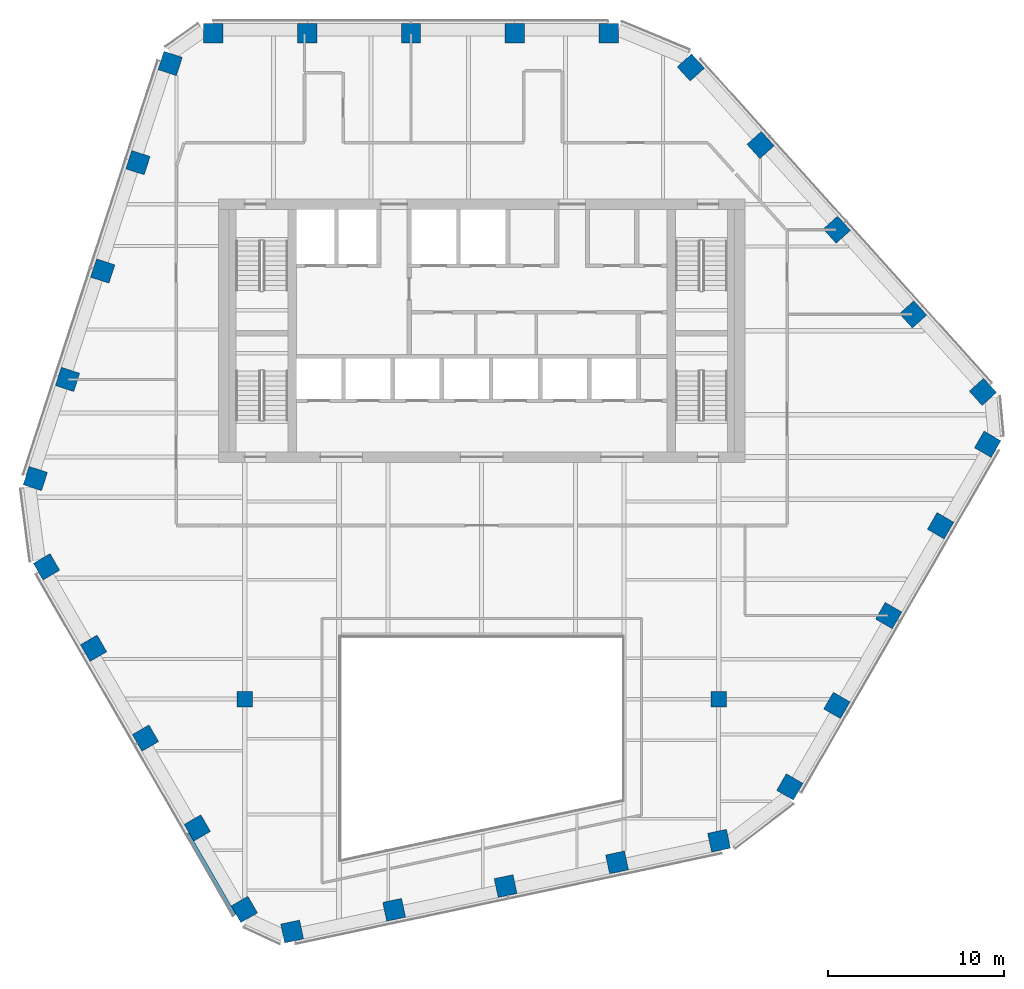
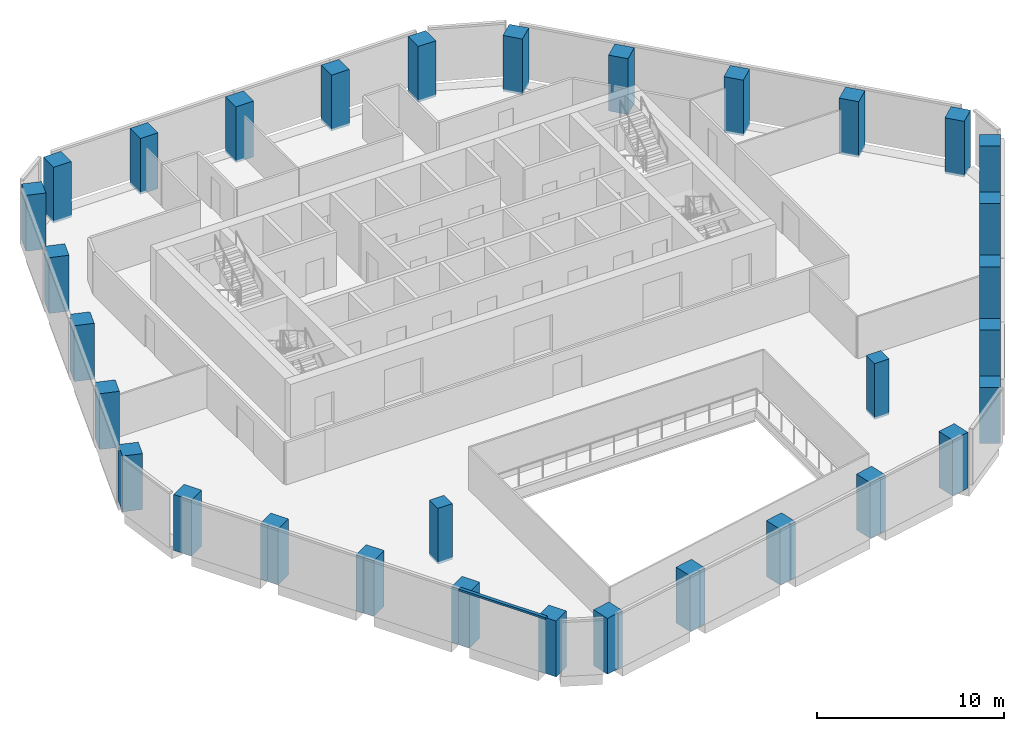
# One storey, part 1 of 15: 32 columns, 1 member, 1 element without a shape of its own.
"""IFC4 building model written with IfcOpenShell, lengths in metres."""

import ifcopenshell
import ifcopenshell.guid

model = None  # the IFC model being written
_history = None  # IfcOwnerHistory: only IFC2X3 demands one
_inside = {}  # id of a spatial element -> (the spatial element, [elements in it])
_under = {}  # id of a project, library or spatial element -> (it, [spatial elements below it])
_declared = {}  # id of a project -> (the project, [libraries it declares])
_typed = {}  # id of a type object -> (the type object, [elements of that type])
_made_of = {}  # id of a material, layer set ... -> (it, [elements and type objects made of it])


def new_model(schema):
    """Start an empty IFC model of exactly this schema.

    Asked for "IFC4X3", IfcOpenShell would pick the latest addendum, in which some entities
    have other attributes; the version numbers below select the first issue.
    IFC2X3 requires an IfcOwnerHistory on every rooted entity: one is made here for all.
    """
    global model, _history
    if schema == "IFC4X3":
        model = ifcopenshell.file(schema_version=(4, 3, 0, 0))
    else:
        model = ifcopenshell.file(schema=schema)
    _inside.clear()
    _under.clear()
    _declared.clear()
    _typed.clear()
    _made_of.clear()
    _history = None
    if model.schema == "IFC2X3":
        org = make("IfcOrganization", Name="unknown")
        user = make(
            "IfcPersonAndOrganization",
            ThePerson=make("IfcPerson", FamilyName="unknown"),
            TheOrganization=org,
        )
        app = make(
            "IfcApplication",
            ApplicationDeveloper=org,
            Version="unknown",
            ApplicationFullName="unknown",
            ApplicationIdentifier="unknown",
        )
        _history = make(
            "IfcOwnerHistory",
            OwningUser=user,
            OwningApplication=app,
            ChangeAction="ADDED",
            CreationDate=0,
        )
    return model


def make(cls, **values):
    """One entity of the class cls with the attributes given. An attribute that is None is left unset."""
    return model.create_entity(
        cls, **{name: value for name, value in values.items() if value is not None}
    )


def rooted(cls, **values):
    """An entity with a GlobalId (a new one), such as an element, a storey or a relation."""
    return make(cls, GlobalId=ifcopenshell.guid.new(), OwnerHistory=_history, **values)


def si_unit(unit_type, name, prefix=None):
    """IfcSIUnit, for example si_unit("LENGTHUNIT", "METRE", prefix="MILLI")."""
    return make("IfcSIUnit", UnitType=unit_type, Prefix=prefix, Name=name)


def assignment(units):
    """IfcUnitAssignment: the units of a project."""
    return None if units is None else make("IfcUnitAssignment", Units=units)


def point(xyz):
    """IfcCartesianPoint."""
    return None if xyz is None else make("IfcCartesianPoint", Coordinates=xyz)


def direction(xyz):
    """IfcDirection."""
    return None if xyz is None else make("IfcDirection", DirectionRatios=xyz)


def frame(location, z_axis=None, x_axis=None):
    """IfcAxis2Placement3D, a coordinate frame: its origin and axes. An axis left out is left unset."""
    return make(
        "IfcAxis2Placement3D",
        Location=point(location),
        Axis=direction(z_axis),
        RefDirection=direction(x_axis),
    )


def frame_2d(location, x_axis=None):
    """IfcAxis2Placement2D, a coordinate frame in the plane: its origin and x axis."""
    return make(
        "IfcAxis2Placement2D", Location=point(location), RefDirection=direction(x_axis)
    )


def origin():
    """The frame at (0, 0, 0) with its axes left unset."""
    return frame((0.0, 0.0, 0.0))


def origin_2d():
    """The frame at (0, 0) in the plane with its x axis left unset."""
    return frame_2d((0.0, 0.0))


def place(relative_to, where):
    """IfcLocalPlacement: puts the frame where relative to a parent placement (None: the world)."""
    return make(
        "IfcLocalPlacement", PlacementRelTo=relative_to, RelativePlacement=where
    )


def context(
    kind, dimensions, precision=None, world=None, true_north=None, identifier=None
):
    """IfcGeometricRepresentationContext, for example the 3D "Model" context."""
    return make(
        "IfcGeometricRepresentationContext",
        ContextIdentifier=identifier,
        ContextType=kind,
        CoordinateSpaceDimension=dimensions,
        Precision=precision,
        WorldCoordinateSystem=world,
        TrueNorth=true_north,
    )


def subcontext(parent, identifier, kind, view, scale=None):
    """IfcGeometricRepresentationSubContext, for example "Body" below "Model"."""
    return make(
        "IfcGeometricRepresentationSubContext",
        ContextIdentifier=identifier,
        ContextType=kind,
        ParentContext=parent,
        TargetScale=scale,
        TargetView=view,
    )


def project(units=None, contexts=None):
    """IfcProject with its units and contexts."""
    return rooted(
        "IfcProject",
        Name="project",
        RepresentationContexts=contexts,
        UnitsInContext=assignment(units),
    )


def spatial(cls, under=None, at=None, **own):
    """A site, building, storey or space (cls), placed at a placement, below another one or the project."""
    s = rooted(cls, ObjectPlacement=at, **own)
    if under is not None:
        _under.setdefault(under.id(), (under, []))[1].append(s)
    return s


def profile(cls, at=None, kind="AREA", **sizes):
    """A parametric profile (cls). Its sizes go by their IFC names, for example OverallWidth=200.0."""
    return make(cls, ProfileType=kind, Position=at, **sizes)


def rectangle(**sizes):
    """IfcRectangleProfileDef."""
    return profile("IfcRectangleProfileDef", **sizes)


def extrude(swept, where, along, depth):
    """IfcExtrudedAreaSolid: the profile swept, set in the frame where, extruded along a direction by depth."""
    return make(
        "IfcExtrudedAreaSolid",
        SweptArea=swept,
        Position=where,
        ExtrudedDirection=direction(along),
        Depth=depth,
    )


def shape(context_of_items, identifier, shape_type, items):
    """IfcShapeRepresentation: the items that make up one representation, for example the "Body"."""
    return make(
        "IfcShapeRepresentation",
        ContextOfItems=context_of_items,
        RepresentationIdentifier=identifier,
        RepresentationType=shape_type,
        Items=items,
    )


def material(Name=None, Category=None):
    """IfcMaterial."""
    return make("IfcMaterial", Name=Name, Category=Category)


def layer(
    of_material, thickness, ventilated=None, Name=None, Category=None, Priority=None
):
    """IfcMaterialLayer: one layer of a wall or slab, of a material (None: an air gap)."""
    return make(
        "IfcMaterialLayer",
        Material=of_material,
        LayerThickness=thickness,
        IsVentilated=ventilated,
        Name=Name,
        Category=Category,
        Priority=Priority,
    )


def layer_set(layers, Name=None):
    """IfcMaterialLayerSet."""
    return make("IfcMaterialLayerSet", MaterialLayers=layers, LayerSetName=Name)


def material_profile(
    of_material, cross_section, Name=None, Category=None, Priority=None
):
    """IfcMaterialProfile: a cross section and its material."""
    return make(
        "IfcMaterialProfile",
        Name=Name,
        Material=of_material,
        Profile=cross_section,
        Priority=Priority,
        Category=Category,
    )


def profile_set(profiles, Name=None, composite=None):
    """IfcMaterialProfileSet."""
    return make(
        "IfcMaterialProfileSet",
        Name=Name,
        MaterialProfiles=profiles,
        CompositeProfile=composite,
    )


def made_of(thing, what):
    """Note that an element or type object is made of a material, layer set ...; save() writes the relation."""
    if what is not None:
        _made_of.setdefault(what.id(), (what, []))[1].append(thing)
    return thing


def type_object(cls, material=None, **own):
    """A type object (cls), such as IfcWallType, which elements share."""
    return made_of(rooted(cls, **own), material)


def element(
    cls,
    number,
    at=None,
    inside=None,
    cuts=None,
    type_object=None,
    material=None,
    context=None,
    identifier="Body",
    shape_type=None,
    held_by="IfcProductDefinitionShape",
    body=None,
    shapes=None,
    **own,
):
    """One element of the class cls, such as IfcWall. Its Tag is "e" and its number.

    at: its placement. inside: the storey or other place that contains it. cuts: it is an
    opening in that element (IfcRelVoidsElement). A single representation is given by context,
    identifier, shape_type and body (its items); several are given by shapes. held_by: the class
    of the entity that holds the representations. save() writes the other relations.
    """
    e = rooted(cls, Tag="e%d" % number, ObjectPlacement=at, **own)
    if body is not None:
        shapes = [shape(context, identifier, shape_type, body)]
    if shapes is not None:
        e.Representation = make(held_by, Representations=shapes)
    if inside is not None:
        _inside.setdefault(inside.id(), (inside, []))[1].append(e)
    if cuts is not None:
        rooted(
            "IfcRelVoidsElement", RelatingBuildingElement=cuts, RelatedOpeningElement=e
        )
    if type_object is not None:
        _typed.setdefault(type_object.id(), (type_object, []))[1].append(e)
    return made_of(e, material)


def aggregate(whole, parts):
    """IfcRelAggregates: a whole, such as a stair, and the parts it consists of."""
    return rooted("IfcRelAggregates", RelatingObject=whole, RelatedObjects=parts)


def save(model, path):
    """Write the relations noted so far, then the file.

    IfcRelAggregates (storeys below a building ...), IfcRelContainedInSpatialStructure (elements
    in a storey), IfcRelDefinesByType, IfcRelAssociatesMaterial and IfcRelDeclares: one each for
    every whole, place, type object, material and project.
    """
    for whole, parts in _under.values():
        aggregate(whole, parts)
    for where, things in _inside.values():
        rooted(
            "IfcRelContainedInSpatialStructure",
            RelatedElements=things,
            RelatingStructure=where,
        )
    for kind, things in _typed.values():
        rooted("IfcRelDefinesByType", RelatedObjects=things, RelatingType=kind)
    for what, things in _made_of.values():
        rooted("IfcRelAssociatesMaterial", RelatedObjects=things, RelatingMaterial=what)
    for by, libraries in _declared.values():
        rooted("IfcRelDeclares", RelatingContext=by, RelatedDefinitions=libraries)
    model.write(path)


model = new_model("IFC4")

# Units and contexts
model_context = context("Model", 3, precision=1e-05, world=origin(), true_north=direction((0.0, 1.0)))
body_context = subcontext(model_context, "Body", "Model", "MODEL_VIEW")
ifc_project = project(units=[si_unit("LENGTHUNIT", "METRE"), si_unit("AREAUNIT", "SQUARE_METRE"), si_unit("VOLUMEUNIT", "CUBIC_METRE"), si_unit("PLANEANGLEUNIT", "RADIAN"), si_unit("MASSUNIT", "GRAM", prefix="KILO")], contexts=[model_context])

# Site, building, storey
site_placement = place(None, origin())
site = spatial("IfcSite", under=ifc_project, at=site_placement, CompositionType="ELEMENT")
building_placement = place(site_placement, origin())
building = spatial("IfcBuilding", under=site, at=building_placement, Name="Isthmus Gate Tower", CompositionType="ELEMENT")
storey_placement = place(building_placement, frame((0.0, 0.0, 245.5)))
storey = spatial("IfcBuildingStorey", under=building, at=storey_placement, Name="L62", CompositionType="ELEMENT", Elevation=245.5)

# Columns
ifc_material_1 = material(Name="Concrete f'c 50 MPa", Category="concrete")
ifc_material_profile_1 = material_profile(ifc_material_1, rectangle(XDim=0.89990234375, YDim=0.89990234375, at=origin_2d()), Name="RC 900X900")
ifc_profile_set_1 = profile_set([ifc_material_profile_1], Name="Concrete f'c 50 MPa")
column_type_1 = type_object("IfcColumnType", Name="RC INTERIOR COLUMN 900 X 900", PredefinedType="COLUMN", material=ifc_profile_set_1)
for number, where, z_axis, x_axis, name in (
    (1, (-13.5, -13.5, -0.14990234375), (0.0, 0.0, 1.0), (1.0, 0.0, 0.0), "str-icol-L62-ICB2"),
    (2, (13.5, -13.5, -0.14990234375), (0.0, 0.0, 1.0), (1.0, 0.0, 0.0), "str-icol-L62-ICD2"),
):
    element("IfcColumn", number, at=place(storey_placement, frame(where, z_axis=z_axis, x_axis=x_axis)), inside=storey, type_object=column_type_1, Name=name, PredefinedType="COLUMN", context=body_context, shape_type="SweptSolid", body=[
        extrude(rectangle(XDim=0.89990234375, YDim=0.89990234375, at=origin_2d()), origin(), (0.0, 0.0, 1.0), 3.64990234375),
    ])
ifc_material_2 = material(Name="Concrete f'c 50 MPa", Category="concrete")
ifc_material_profile_2 = material_profile(ifc_material_2, rectangle(XDim=1.10009765625, YDim=1.10009765625, at=origin_2d()), Name="RC 1100X1100")
ifc_profile_set_2 = profile_set([ifc_material_profile_2], Name="Concrete f'c 50 MPa")
column_type_2 = type_object("IfcColumnType", Name="RC TUBE COLUMN 1100 X 1100", PredefinedType="COLUMN", material=ifc_profile_set_2)
for number, where, z_axis, x_axis, name in (
    (3, (7.2412109375, 24.449951171875, -0.14990234375), (0.0, 0.0, 1.0), (-1.0, 0.0, 0.0), "str-tcol-L62-T3N0"),
    (4, (1.880615234375, 24.449951171875, -0.14990234375), (0.0, 0.0, 1.0), (-1.0, 0.0, 0.0), "str-tcol-L62-T3N1"),
    (5, (-4.030029296875, 24.449951171875, -0.14990234375), (0.0, 0.0, 1.0), (-1.0, 0.0, 0.0), "str-tcol-L62-T3N2"),
    (6, (-9.940673828125, 24.449951171875, -0.14990234375), (0.0, 0.0, 1.0), (-1.0, 0.0, 0.0), "str-tcol-L62-T3N3"),
    (7, (-15.30126953125, 24.449951171875, -0.14990234375), (0.0, 0.0, 1.0), (-1.0, 0.0, 0.0), "str-tcol-L62-T3N4"),
    (8, (-17.7509765625, 22.721923828125, -0.14990234375), (0.0, 0.0, 1.0), (-0.309016994375, -0.951056516295, 0.0), "str-tcol-L62-T3NW0"),
    (9, (-19.587158203125, 17.07080078125, -0.14990234375), (0.0, 0.0, 1.0), (-0.309016994375, -0.951056516295, 0.0), "str-tcol-L62-T3NW1"),
    (10, (-21.59326171875, 10.896728515625, -0.14990234375), (0.0, 0.0, 1.0), (-0.309016994375, -0.951056516295, 0.0), "str-tcol-L62-T3NW2"),
    (11, (-23.599365234375, 4.72265625, -0.14990234375), (0.0, 0.0, 1.0), (-0.309016994375, -0.951056516295, 0.0), "str-tcol-L62-T3NW3"),
    (12, (-25.435546875, -0.928466796875, -0.14990234375), (0.0, 0.0, 1.0), (-0.309016994375, -0.951056516295, 0.0), "str-tcol-L62-T3NW4"),
    (13, (-24.794921875, -5.9541015625, -0.14990234375), (0.0, 0.0, 1.0), (0.5, -0.866025403784, 0.0), "str-tcol-L62-T3SW0"),
    (14, (-22.114501953125, -10.596435546875, -0.14990234375), (0.0, 0.0, 1.0), (0.5, -0.866025403784, 0.0), "str-tcol-L62-T3SW1"),
    (15, (-19.1591796875, -15.715087890625, -0.14990234375), (0.0, 0.0, 1.0), (0.5, -0.866025403784, 0.0), "str-tcol-L62-T3SW2"),
    (16, (-16.2041015625, -20.833984375, -0.14990234375), (0.0, 0.0, 1.0), (0.5, -0.866025403784, 0.0), "str-tcol-L62-T3SW3"),
    (17, (-13.523681640625, -25.476318359375, -0.14990234375), (0.0, 0.0, 1.0), (0.5, -0.866025403784, 0.0), "str-tcol-L62-T3SW4"),
    (18, (-10.80224609375, -26.73388671875, -0.14990234375), (0.0, 0.0, 1.0), (0.978147600734, 0.207911690818, 0.0), "str-tcol-L62-T3S0"),
    (19, (-4.990234375, -25.498291015625, -0.14990234375), (0.0, 0.0, 1.0), (0.978147600734, 0.207911690818, 0.0), "str-tcol-L62-T3S1"),
    (20, (1.35986328125, -24.148681640625, -0.14990234375), (0.0, 0.0, 1.0), (0.978147600734, 0.207911690818, 0.0), "str-tcol-L62-T3S2"),
    (21, (7.7099609375, -22.798828125, -0.14990234375), (0.0, 0.0, 1.0), (0.978147600734, 0.207911690818, 0.0), "str-tcol-L62-T3S3"),
    (22, (13.52197265625, -21.5634765625, -0.14990234375), (0.0, 0.0, 1.0), (0.978147600734, 0.207911690818, 0.0), "str-tcol-L62-T3S4"),
    (23, (17.5537109375, -18.495849609375, -0.14990234375), (0.0, 0.0, 1.0), (0.5, 0.866025403784, 0.0), "str-tcol-L62-T3SE0"),
    (24, (20.234130859375, -13.853515625, -0.14990234375), (0.0, 0.0, 1.0), (0.5, 0.866025403784, 0.0), "str-tcol-L62-T3SE1"),
    (25, (23.189453125, -8.73486328125, -0.14990234375), (0.0, 0.0, 1.0), (0.5, 0.866025403784, 0.0), "str-tcol-L62-T3SE2"),
    (26, (26.144775390625, -3.6162109375, -0.14990234375), (0.0, 0.0, 1.0), (0.5, 0.866025403784, 0.0), "str-tcol-L62-T3SE3"),
    (27, (28.824951171875, 1.0263671875, -0.14990234375), (0.0, 0.0, 1.0), (0.5, 0.866025403784, 0.0), "str-tcol-L62-T3SE4"),
    (28, (28.55322265625, 4.011962890625, -0.14990234375), (0.0, 0.0, 1.0), (-0.669130606359, 0.743144825477, 0.0), "str-tcol-L62-T3NE0"),
    (29, (24.577392578125, 8.427490234375, -0.14990234375), (0.0, 0.0, 1.0), (-0.669130606359, 0.743144825477, 0.0), "str-tcol-L62-T3NE1"),
    (30, (20.2333984375, 13.251953125, -0.14990234375), (0.0, 0.0, 1.0), (-0.669130606359, 0.743144825477, 0.0), "str-tcol-L62-T3NE2"),
    (31, (15.8896484375, 18.076416015625, -0.14990234375), (0.0, 0.0, 1.0), (-0.669130606359, 0.743144825477, 0.0), "str-tcol-L62-T3NE3"),
    (32, (11.91357421875, 22.4921875, -0.14990234375), (0.0, 0.0, 1.0), (-0.669130606359, 0.743144825477, 0.0), "str-tcol-L62-T3NE4"),
):
    element("IfcColumn", number, at=place(storey_placement, frame(where, z_axis=z_axis, x_axis=x_axis)), inside=storey, type_object=column_type_2, Name=name, PredefinedType="COLUMN", context=body_context, shape_type="SweptSolid", body=[
        extrude(rectangle(XDim=1.10009765625, YDim=1.10009765625, at=origin_2d()), origin(), (0.0, 0.0, 1.0), 3.64990234375),
    ])

# Curtain wall, member
ifc_material_3 = material(Name="Aluminium, pale champagne anodised", Category="aluminium")
ifc_layer = layer(ifc_material_3, 0.199951171875)
ifc_layer_set = layer_set([ifc_layer], Name="CW-1 UNITISED CURTAIN WALL 200 DEEP")
curtain_wall_type = type_object("IfcCurtainWallType", Name="CW-1 UNITISED CURTAIN WALL 200 DEEP", PredefinedType="NOTDEFINED", material=ifc_layer_set)
curtain_wall_placement = place(storey_placement, origin())
curtain_wall = element("IfcCurtainWall", 33, at=curtain_wall_placement, inside=storey, type_object=curtain_wall_type, Name="CW-1 SW L62", PredefinedType="NOTDEFINED")
ifc_material_4 = material(Name="Aluminium, pale champagne anodised", Category="aluminium")
ifc_material_profile_3 = material_profile(ifc_material_4, rectangle(XDim=0.199951171875, YDim=0.1298828125, at=origin_2d()), Name="200x130")
ifc_profile_set_3 = profile_set([ifc_material_profile_3], Name="Aluminium, pale champagne anodised")
member_type = type_object("IfcMemberType", Name="CW-1 TRANSOM 200 X 130", PredefinedType="USERDEFINED", material=ifc_profile_set_3)
member_placement = place(storey_placement, frame((-16.766845703125, -21.158935546875, 3.5849609375), z_axis=(0.499989227444, -0.866031623233, 0.0), x_axis=(0.866031623233, 0.499989227444, 0.0)))
member = element("IfcMember", 34, at=member_placement, type_object=member_type, Name="CW-1 transom", ObjectType="TRANSOM", PredefinedType="USERDEFINED", context=body_context, shape_type="SweptSolid", body=[
    extrude(rectangle(XDim=0.199951171875, YDim=0.1298828125, at=origin_2d()), origin(), (0.0, 0.0, 1.0), 5.3603515625),
])
aggregate(curtain_wall, [member])

save(model, "model.ifc")
